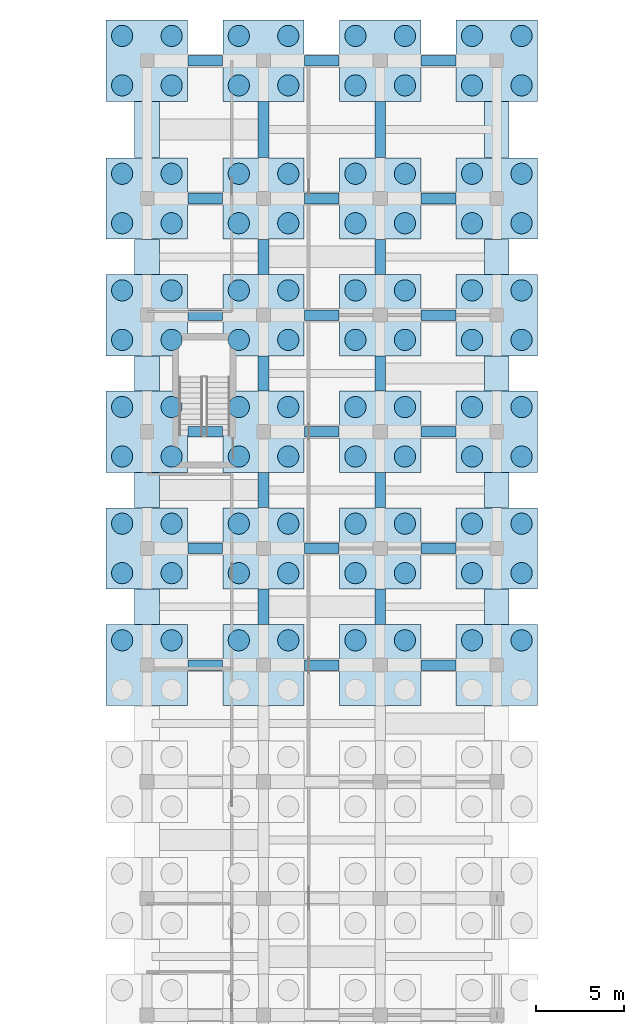
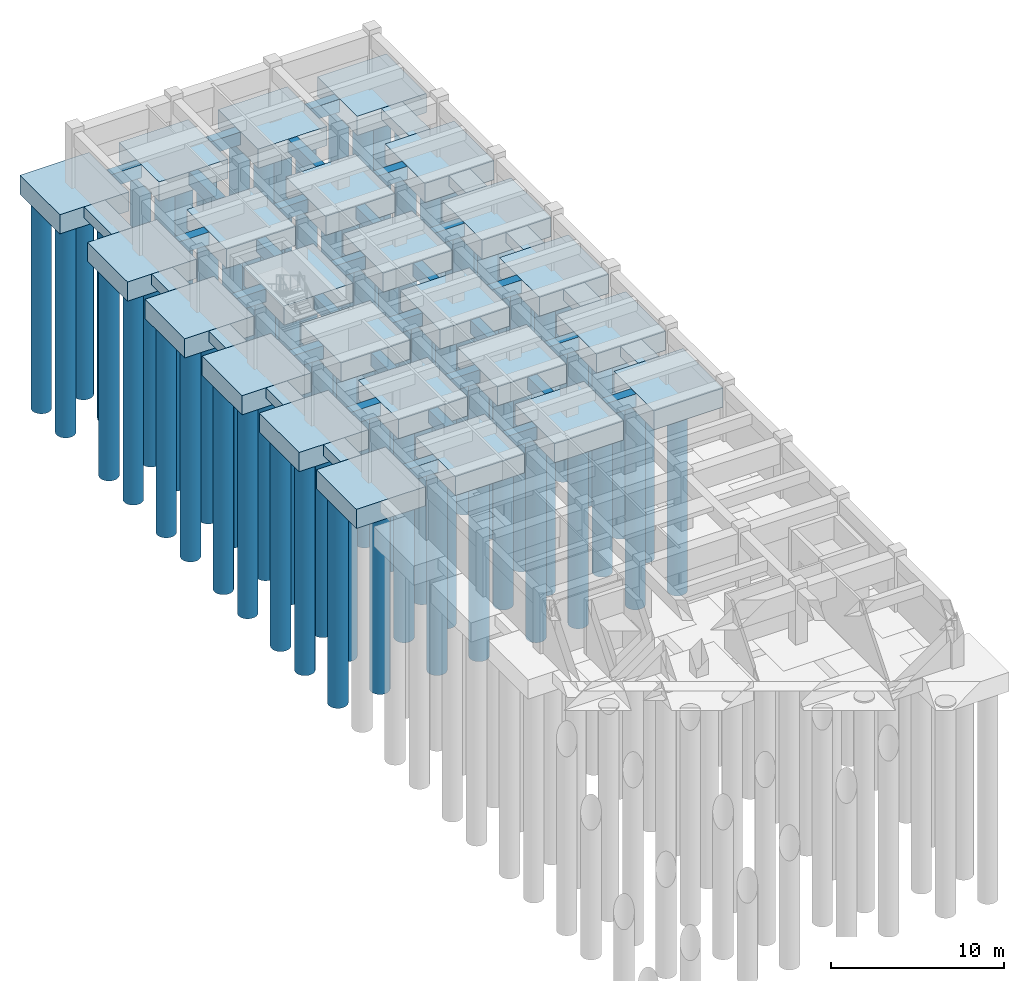
# One storey, part 7 of 58: 88 piles, 62 footings.
"""IFC4 building model written with IfcOpenShell, lengths in metres."""

from ifc_helpers import new_model, si_unit, direction, frame, origin, origin_2d, place, context, subcontext, project, spatial, rectangle, circle, extrude, material, material_profile, profile_set, type_object, element, save


model = new_model("IFC4")

# Units and contexts
model_context = context("Model", 3, precision=1e-05, world=origin(), true_north=direction((0.0, 1.0)))
body_context = subcontext(model_context, "Body", "Model", "MODEL_VIEW")
ifc_project = project(units=[si_unit("LENGTHUNIT", "METRE"), si_unit("AREAUNIT", "SQUARE_METRE"), si_unit("VOLUMEUNIT", "CUBIC_METRE"), si_unit("PLANEANGLEUNIT", "RADIAN"), si_unit("MASSUNIT", "GRAM", prefix="KILO")], contexts=[model_context])

# Site, building, storey
site_placement = place(None, origin())
site = spatial("IfcSite", under=ifc_project, at=site_placement, CompositionType="ELEMENT")
building_placement = place(site_placement, origin())
building = spatial("IfcBuilding", under=site, at=building_placement, Name="Karori Crest Natural Sciences Institute", CompositionType="ELEMENT")
storey_placement = place(building_placement, frame((0.0, 0.0, -4.199951171875)))
storey = spatial("IfcBuildingStorey", under=building, at=storey_placement, Name="B1", CompositionType="ELEMENT", Elevation=-4.199951171875)

# Footings
ifc_material = material(Name="Concrete 40 MPa", Category="concrete")
footing_type_1 = type_object("IfcFootingType", Name="FT-11", PredefinedType="PILE_CAP", material=ifc_material)
for number, where, z_axis, x_axis, name in (
    (1, (7.39990234375, 128.0, -1.35009765625), (0.0, 0.0, 1.0), (1.0, 0.0, 0.0), "Pile cap PC-0117"),
    (2, (7.39990234375, 134.60009765625, -1.35009765625), (0.0, 0.0, 1.0), (1.0, 0.0, 0.0), "Pile cap PC-0118"),
    (3, (7.39990234375, 141.199951171875, -1.35009765625), (0.0, 0.0, 1.0), (1.0, 0.0, 0.0), "Pile cap PC-0119"),
    (4, (7.39990234375, 147.800048828125, -1.35009765625), (0.0, 0.0, 1.0), (1.0, 0.0, 0.0), "Pile cap PC-0120"),
    (5, (7.39990234375, 154.39990234375, -1.35009765625), (0.0, 0.0, 1.0), (1.0, 0.0, 0.0), "Pile cap PC-0121"),
    (6, (7.39990234375, 162.199951171875, -1.35009765625), (0.0, 0.0, 1.0), (1.0, 0.0, 0.0), "Pile cap PC-0122"),
    (7, (14.0, 128.0, -1.35009765625), (0.0, 0.0, 1.0), (1.0, 0.0, 0.0), "Pile cap PC-0128"),
    (8, (14.0, 134.60009765625, -1.35009765625), (0.0, 0.0, 1.0), (1.0, 0.0, 0.0), "Pile cap PC-0129"),
    (9, (14.0, 141.199951171875, -1.35009765625), (0.0, 0.0, 1.0), (1.0, 0.0, 0.0), "Pile cap PC-0130"),
    (10, (14.0, 147.800048828125, -1.35009765625), (0.0, 0.0, 1.0), (1.0, 0.0, 0.0), "Pile cap PC-0131"),
    (11, (14.0, 154.39990234375, -1.35009765625), (0.0, 0.0, 1.0), (1.0, 0.0, 0.0), "Pile cap PC-0132"),
    (12, (14.0, 162.199951171875, -1.35009765625), (0.0, 0.0, 1.0), (1.0, 0.0, 0.0), "Pile cap PC-0133"),
    (13, (20.60009765625, 128.0, -1.35009765625), (0.0, 0.0, 1.0), (1.0, 0.0, 0.0), "Pile cap PC-0139"),
    (14, (20.60009765625, 134.60009765625, -1.35009765625), (0.0, 0.0, 1.0), (1.0, 0.0, 0.0), "Pile cap PC-0140"),
    (15, (20.60009765625, 141.199951171875, -1.35009765625), (0.0, 0.0, 1.0), (1.0, 0.0, 0.0), "Pile cap PC-0141"),
    (16, (20.60009765625, 147.800048828125, -1.35009765625), (0.0, 0.0, 1.0), (1.0, 0.0, 0.0), "Pile cap PC-0142"),
    (17, (20.60009765625, 154.39990234375, -1.35009765625), (0.0, 0.0, 1.0), (1.0, 0.0, 0.0), "Pile cap PC-0143"),
    (18, (20.60009765625, 162.199951171875, -1.35009765625), (0.0, 0.0, 1.0), (1.0, 0.0, 0.0), "Pile cap PC-0144"),
    (19, (27.199951171875, 128.0, -1.35009765625), (0.0, 0.0, 1.0), (1.0, 0.0, 0.0), "Pile cap PC-0150"),
    (20, (27.199951171875, 134.60009765625, -1.35009765625), (0.0, 0.0, 1.0), (1.0, 0.0, 0.0), "Pile cap PC-0151"),
    (21, (27.199951171875, 141.199951171875, -1.35009765625), (0.0, 0.0, 1.0), (1.0, 0.0, 0.0), "Pile cap PC-0152"),
    (22, (27.199951171875, 147.800048828125, -1.35009765625), (0.0, 0.0, 1.0), (1.0, 0.0, 0.0), "Pile cap PC-0153"),
    (23, (27.199951171875, 154.39990234375, -1.35009765625), (0.0, 0.0, 1.0), (1.0, 0.0, 0.0), "Pile cap PC-0154"),
    (24, (27.199951171875, 162.199951171875, -1.35009765625), (0.0, 0.0, 1.0), (1.0, 0.0, 0.0), "Pile cap PC-0155"),
):
    element("IfcFooting", number, at=place(storey_placement, frame(where, z_axis=z_axis, x_axis=x_axis)), inside=storey, type_object=footing_type_1, Name=name, PredefinedType="PILE_CAP", context=body_context, shape_type="SweptSolid", body=[
        extrude(rectangle(XDim=4.60009765625, YDim=4.60009765625, at=origin_2d()), origin(), (0.0, 0.0, 1.0), 1.35009765625),
    ])
footing_type_2 = type_object("IfcFootingType", Name="FT-16", PredefinedType="FOOTING_BEAM", material=ifc_material)
for number, where, z_axis, x_axis, name in (
    (25, (10.699951171875, 128.0, -0.89990234375), (0.0, 0.0, 1.0), (1.0, 0.0, 0.0), "Ground beam FB-0132"),
    (26, (10.699951171875, 134.60009765625, -0.89990234375), (0.0, 0.0, 1.0), (1.0, 0.0, 0.0), "Ground beam FB-0133"),
    (27, (10.699951171875, 141.199951171875, -0.89990234375), (0.0, 0.0, 1.0), (1.0, 0.0, 0.0), "Ground beam FB-0134"),
    (28, (10.699951171875, 147.800048828125, -0.89990234375), (0.0, 0.0, 1.0), (1.0, 0.0, 0.0), "Ground beam FB-0135"),
    (29, (10.699951171875, 154.39990234375, -0.89990234375), (0.0, 0.0, 1.0), (1.0, 0.0, 0.0), "Ground beam FB-0136"),
    (30, (10.699951171875, 162.199951171875, -0.89990234375), (0.0, 0.0, 1.0), (1.0, 0.0, 0.0), "Ground beam FB-0137"),
    (31, (17.300048828125, 128.0, -0.89990234375), (0.0, 0.0, 1.0), (1.0, 0.0, 0.0), "Ground beam FB-0148"),
):
    element("IfcFooting", number, at=place(storey_placement, frame(where, z_axis=z_axis, x_axis=x_axis)), inside=storey, type_object=footing_type_2, Name=name, PredefinedType="FOOTING_BEAM", context=body_context, shape_type="SweptSolid", body=[
        extrude(rectangle(XDim=1.964111328125, YDim=0.60009765625, at=origin_2d()), origin(), (0.0, 0.0, 1.0), 0.89990234375),
    ])
footing_1_placement = place(storey_placement, frame((14.0, 131.300048828125, -0.89990234375), z_axis=(0.0, 0.0, 1.0), x_axis=(0.0, 1.0, 0.0)))
element("IfcFooting", 32, at=footing_1_placement, inside=storey, type_object=footing_type_2, Name="Ground beam FB-0149", PredefinedType="FOOTING_BEAM", context=body_context, shape_type="SweptSolid", body=[
    extrude(rectangle(XDim=1.98388671875, YDim=0.60009765625, at=origin_2d()), origin(), (0.0, 0.0, 1.0), 0.89990234375),
])
footing_2_placement = place(storey_placement, frame((17.300048828125, 134.60009765625, -0.89990234375), z_axis=(0.0, 0.0, 1.0), x_axis=(1.0, 0.0, 0.0)))
element("IfcFooting", 33, at=footing_2_placement, inside=storey, type_object=footing_type_2, Name="Ground beam FB-0150", PredefinedType="FOOTING_BEAM", context=body_context, shape_type="SweptSolid", body=[
    extrude(rectangle(XDim=1.964111328125, YDim=0.60009765625, at=origin_2d()), origin(), (0.0, 0.0, 1.0), 0.89990234375),
])
footing_3_placement = place(storey_placement, frame((14.0, 137.89990234375, -0.89990234375), z_axis=(0.0, 0.0, 1.0), x_axis=(0.0, 1.0, 0.0)))
element("IfcFooting", 34, at=footing_3_placement, inside=storey, type_object=footing_type_2, Name="Ground beam FB-0151", PredefinedType="FOOTING_BEAM", context=body_context, shape_type="SweptSolid", body=[
    extrude(rectangle(XDim=1.98388671875, YDim=0.60009765625, at=origin_2d()), origin(), (0.0, 0.0, 1.0), 0.89990234375),
])
footing_4_placement = place(storey_placement, frame((17.300048828125, 141.199951171875, -0.89990234375), z_axis=(0.0, 0.0, 1.0), x_axis=(1.0, 0.0, 0.0)))
element("IfcFooting", 35, at=footing_4_placement, inside=storey, type_object=footing_type_2, Name="Ground beam FB-0152", PredefinedType="FOOTING_BEAM", context=body_context, shape_type="SweptSolid", body=[
    extrude(rectangle(XDim=1.964111328125, YDim=0.60009765625, at=origin_2d()), origin(), (0.0, 0.0, 1.0), 0.89990234375),
])
footing_5_placement = place(storey_placement, frame((14.0, 144.5, -0.89990234375), z_axis=(0.0, 0.0, 1.0), x_axis=(0.0, 1.0, 0.0)))
element("IfcFooting", 36, at=footing_5_placement, inside=storey, type_object=footing_type_2, Name="Ground beam FB-0153", PredefinedType="FOOTING_BEAM", context=body_context, shape_type="SweptSolid", body=[
    extrude(rectangle(XDim=1.98388671875, YDim=0.60009765625, at=origin_2d()), origin(), (0.0, 0.0, 1.0), 0.89990234375),
])
footing_6_placement = place(storey_placement, frame((17.300048828125, 147.800048828125, -0.89990234375), z_axis=(0.0, 0.0, 1.0), x_axis=(1.0, 0.0, 0.0)))
element("IfcFooting", 37, at=footing_6_placement, inside=storey, type_object=footing_type_2, Name="Ground beam FB-0154", PredefinedType="FOOTING_BEAM", context=body_context, shape_type="SweptSolid", body=[
    extrude(rectangle(XDim=1.964111328125, YDim=0.60009765625, at=origin_2d()), origin(), (0.0, 0.0, 1.0), 0.89990234375),
])
footing_7_placement = place(storey_placement, frame((14.0, 151.10009765625, -0.89990234375), z_axis=(0.0, 0.0, 1.0), x_axis=(0.0, 1.0, 0.0)))
element("IfcFooting", 38, at=footing_7_placement, inside=storey, type_object=footing_type_2, Name="Ground beam FB-0155", PredefinedType="FOOTING_BEAM", context=body_context, shape_type="SweptSolid", body=[
    extrude(rectangle(XDim=1.98388671875, YDim=0.60009765625, at=origin_2d()), origin(), (0.0, 0.0, 1.0), 0.89990234375),
])
footing_8_placement = place(storey_placement, frame((17.300048828125, 154.39990234375, -0.89990234375), z_axis=(0.0, 0.0, 1.0), x_axis=(1.0, 0.0, 0.0)))
element("IfcFooting", 39, at=footing_8_placement, inside=storey, type_object=footing_type_2, Name="Ground beam FB-0156", PredefinedType="FOOTING_BEAM", context=body_context, shape_type="SweptSolid", body=[
    extrude(rectangle(XDim=1.964111328125, YDim=0.60009765625, at=origin_2d()), origin(), (0.0, 0.0, 1.0), 0.89990234375),
])
footing_9_placement = place(storey_placement, frame((14.0, 158.300048828125, -0.89990234375), z_axis=(0.0, 0.0, 1.0), x_axis=(0.0, 1.0, 0.0)))
element("IfcFooting", 40, at=footing_9_placement, inside=storey, type_object=footing_type_2, Name="Ground beam FB-0157", PredefinedType="FOOTING_BEAM", context=body_context, shape_type="SweptSolid", body=[
    extrude(rectangle(XDim=3.18408203125, YDim=0.60009765625, at=origin_2d()), origin(), (0.0, 0.0, 1.0), 0.89990234375),
])
for number, where, z_axis, x_axis, name in (
    (41, (17.300048828125, 162.199951171875, -0.89990234375), (0.0, 0.0, 1.0), (1.0, 0.0, 0.0), "Ground beam FB-0158"),
    (42, (23.89990234375, 128.0, -0.89990234375), (0.0, 0.0, 1.0), (1.0, 0.0, 0.0), "Ground beam FB-0169"),
):
    element("IfcFooting", number, at=place(storey_placement, frame(where, z_axis=z_axis, x_axis=x_axis)), inside=storey, type_object=footing_type_2, Name=name, PredefinedType="FOOTING_BEAM", context=body_context, shape_type="SweptSolid", body=[
        extrude(rectangle(XDim=1.964111328125, YDim=0.60009765625, at=origin_2d()), origin(), (0.0, 0.0, 1.0), 0.89990234375),
    ])
footing_10_placement = place(storey_placement, frame((20.60009765625, 131.300048828125, -0.89990234375), z_axis=(0.0, 0.0, 1.0), x_axis=(0.0, 1.0, 0.0)))
element("IfcFooting", 43, at=footing_10_placement, inside=storey, type_object=footing_type_2, Name="Ground beam FB-0170", PredefinedType="FOOTING_BEAM", context=body_context, shape_type="SweptSolid", body=[
    extrude(rectangle(XDim=1.98388671875, YDim=0.60009765625, at=origin_2d()), origin(), (0.0, 0.0, 1.0), 0.89990234375),
])
footing_11_placement = place(storey_placement, frame((23.89990234375, 134.60009765625, -0.89990234375), z_axis=(0.0, 0.0, 1.0), x_axis=(1.0, 0.0, 0.0)))
element("IfcFooting", 44, at=footing_11_placement, inside=storey, type_object=footing_type_2, Name="Ground beam FB-0171", PredefinedType="FOOTING_BEAM", context=body_context, shape_type="SweptSolid", body=[
    extrude(rectangle(XDim=1.964111328125, YDim=0.60009765625, at=origin_2d()), origin(), (0.0, 0.0, 1.0), 0.89990234375),
])
footing_12_placement = place(storey_placement, frame((20.60009765625, 137.89990234375, -0.89990234375), z_axis=(0.0, 0.0, 1.0), x_axis=(0.0, 1.0, 0.0)))
element("IfcFooting", 45, at=footing_12_placement, inside=storey, type_object=footing_type_2, Name="Ground beam FB-0172", PredefinedType="FOOTING_BEAM", context=body_context, shape_type="SweptSolid", body=[
    extrude(rectangle(XDim=1.98388671875, YDim=0.60009765625, at=origin_2d()), origin(), (0.0, 0.0, 1.0), 0.89990234375),
])
footing_13_placement = place(storey_placement, frame((23.89990234375, 141.199951171875, -0.89990234375), z_axis=(0.0, 0.0, 1.0), x_axis=(1.0, 0.0, 0.0)))
element("IfcFooting", 46, at=footing_13_placement, inside=storey, type_object=footing_type_2, Name="Ground beam FB-0173", PredefinedType="FOOTING_BEAM", context=body_context, shape_type="SweptSolid", body=[
    extrude(rectangle(XDim=1.964111328125, YDim=0.60009765625, at=origin_2d()), origin(), (0.0, 0.0, 1.0), 0.89990234375),
])
footing_14_placement = place(storey_placement, frame((20.60009765625, 144.5, -0.89990234375), z_axis=(0.0, 0.0, 1.0), x_axis=(0.0, 1.0, 0.0)))
element("IfcFooting", 47, at=footing_14_placement, inside=storey, type_object=footing_type_2, Name="Ground beam FB-0174", PredefinedType="FOOTING_BEAM", context=body_context, shape_type="SweptSolid", body=[
    extrude(rectangle(XDim=1.98388671875, YDim=0.60009765625, at=origin_2d()), origin(), (0.0, 0.0, 1.0), 0.89990234375),
])
footing_15_placement = place(storey_placement, frame((23.89990234375, 147.800048828125, -0.89990234375), z_axis=(0.0, 0.0, 1.0), x_axis=(1.0, 0.0, 0.0)))
element("IfcFooting", 48, at=footing_15_placement, inside=storey, type_object=footing_type_2, Name="Ground beam FB-0175", PredefinedType="FOOTING_BEAM", context=body_context, shape_type="SweptSolid", body=[
    extrude(rectangle(XDim=1.964111328125, YDim=0.60009765625, at=origin_2d()), origin(), (0.0, 0.0, 1.0), 0.89990234375),
])
footing_16_placement = place(storey_placement, frame((20.60009765625, 151.10009765625, -0.89990234375), z_axis=(0.0, 0.0, 1.0), x_axis=(0.0, 1.0, 0.0)))
element("IfcFooting", 49, at=footing_16_placement, inside=storey, type_object=footing_type_2, Name="Ground beam FB-0176", PredefinedType="FOOTING_BEAM", context=body_context, shape_type="SweptSolid", body=[
    extrude(rectangle(XDim=1.98388671875, YDim=0.60009765625, at=origin_2d()), origin(), (0.0, 0.0, 1.0), 0.89990234375),
])
footing_17_placement = place(storey_placement, frame((23.89990234375, 154.39990234375, -0.89990234375), z_axis=(0.0, 0.0, 1.0), x_axis=(1.0, 0.0, 0.0)))
element("IfcFooting", 50, at=footing_17_placement, inside=storey, type_object=footing_type_2, Name="Ground beam FB-0177", PredefinedType="FOOTING_BEAM", context=body_context, shape_type="SweptSolid", body=[
    extrude(rectangle(XDim=1.964111328125, YDim=0.60009765625, at=origin_2d()), origin(), (0.0, 0.0, 1.0), 0.89990234375),
])
footing_18_placement = place(storey_placement, frame((20.60009765625, 158.300048828125, -0.89990234375), z_axis=(0.0, 0.0, 1.0), x_axis=(0.0, 1.0, 0.0)))
element("IfcFooting", 51, at=footing_18_placement, inside=storey, type_object=footing_type_2, Name="Ground beam FB-0178", PredefinedType="FOOTING_BEAM", context=body_context, shape_type="SweptSolid", body=[
    extrude(rectangle(XDim=3.18408203125, YDim=0.60009765625, at=origin_2d()), origin(), (0.0, 0.0, 1.0), 0.89990234375),
])
footing_19_placement = place(storey_placement, frame((23.89990234375, 162.199951171875, -0.89990234375), z_axis=(0.0, 0.0, 1.0), x_axis=(1.0, 0.0, 0.0)))
element("IfcFooting", 52, at=footing_19_placement, inside=storey, type_object=footing_type_2, Name="Ground beam FB-0179", PredefinedType="FOOTING_BEAM", context=body_context, shape_type="SweptSolid", body=[
    extrude(rectangle(XDim=1.964111328125, YDim=0.60009765625, at=origin_2d()), origin(), (0.0, 0.0, 1.0), 0.89990234375),
])
footing_type_3 = type_object("IfcFootingType", Name="FT-20", PredefinedType="STRIP_FOOTING", material=ifc_material)
for number, where, z_axis, x_axis, name in (
    (53, (7.39990234375, 131.300048828125, -0.75), (0.0, 0.0, 1.0), (0.0, 1.0, 0.0), "Strip footing SF-0026"),
    (54, (7.39990234375, 137.89990234375, -0.75), (0.0, 0.0, 1.0), (0.0, 1.0, 0.0), "Strip footing SF-0027"),
    (55, (7.39990234375, 144.5, -0.75), (0.0, 0.0, 1.0), (0.0, 1.0, 0.0), "Strip footing SF-0028"),
    (56, (7.39990234375, 151.10009765625, -0.75), (0.0, 0.0, 1.0), (0.0, 1.0, 0.0), "Strip footing SF-0029"),
):
    element("IfcFooting", number, at=place(storey_placement, frame(where, z_axis=z_axis, x_axis=x_axis)), inside=storey, type_object=footing_type_3, Name=name, PredefinedType="STRIP_FOOTING", context=body_context, shape_type="SweptSolid", body=[
        extrude(rectangle(XDim=1.98388671875, YDim=1.39990234375, at=origin_2d()), origin(), (0.0, 0.0, 1.0), 0.75),
    ])
footing_20_placement = place(storey_placement, frame((7.39990234375, 158.300048828125, -0.75), z_axis=(0.0, 0.0, 1.0), x_axis=(0.0, 1.0, 0.0)))
element("IfcFooting", 57, at=footing_20_placement, inside=storey, type_object=footing_type_3, Name="Strip footing SF-0030", PredefinedType="STRIP_FOOTING", context=body_context, shape_type="SweptSolid", body=[
    extrude(rectangle(XDim=3.18408203125, YDim=1.39990234375, at=origin_2d()), origin(), (0.0, 0.0, 1.0), 0.75),
])
for number, where, z_axis, x_axis, name in (
    (58, (27.199951171875, 131.300048828125, -0.75), (0.0, 0.0, 1.0), (0.0, 1.0, 0.0), "Strip footing SF-0036"),
    (59, (27.199951171875, 137.89990234375, -0.75), (0.0, 0.0, 1.0), (0.0, 1.0, 0.0), "Strip footing SF-0037"),
    (60, (27.199951171875, 144.5, -0.75), (0.0, 0.0, 1.0), (0.0, 1.0, 0.0), "Strip footing SF-0038"),
    (61, (27.199951171875, 151.10009765625, -0.75), (0.0, 0.0, 1.0), (0.0, 1.0, 0.0), "Strip footing SF-0039"),
):
    element("IfcFooting", number, at=place(storey_placement, frame(where, z_axis=z_axis, x_axis=x_axis)), inside=storey, type_object=footing_type_3, Name=name, PredefinedType="STRIP_FOOTING", context=body_context, shape_type="SweptSolid", body=[
        extrude(rectangle(XDim=1.98388671875, YDim=1.39990234375, at=origin_2d()), origin(), (0.0, 0.0, 1.0), 0.75),
    ])
footing_21_placement = place(storey_placement, frame((27.199951171875, 158.300048828125, -0.75), z_axis=(0.0, 0.0, 1.0), x_axis=(0.0, 1.0, 0.0)))
element("IfcFooting", 62, at=footing_21_placement, inside=storey, type_object=footing_type_3, Name="Strip footing SF-0040", PredefinedType="STRIP_FOOTING", context=body_context, shape_type="SweptSolid", body=[
    extrude(rectangle(XDim=3.18408203125, YDim=1.39990234375, at=origin_2d()), origin(), (0.0, 0.0, 1.0), 0.75),
])

# Piles
ifc_material_profile = material_profile(ifc_material, circle(Radius=0.60009765625, at=origin_2d()), Name="PILE1200")
ifc_profile_set = profile_set([ifc_material_profile], Name="Concrete 40 MPa")
pile_type = type_object("IfcPileType", Name="PT-05", PredefinedType="BORED", material=ifc_profile_set)
for number, where, z_axis, x_axis, name in (
    (63, (6.0, 129.39990234375, -1.25), (0.0, 0.0, -1.0), (1.0, 0.0, 0.0), "Bored pile PL-0307"),
    (64, (8.800048828125, 129.39990234375, -1.25), (0.0, 0.0, -1.0), (1.0, 0.0, 0.0), "Bored pile PL-0308"),
    (65, (6.0, 133.199951171875, -1.25), (0.0, 0.0, -1.0), (1.0, 0.0, 0.0), "Bored pile PL-0309"),
    (66, (8.800048828125, 133.199951171875, -1.25), (0.0, 0.0, -1.0), (1.0, 0.0, 0.0), "Bored pile PL-0310"),
    (67, (6.0, 136.0, -1.25), (0.0, 0.0, -1.0), (1.0, 0.0, 0.0), "Bored pile PL-0311"),
    (68, (8.800048828125, 136.0, -1.25), (0.0, 0.0, -1.0), (1.0, 0.0, 0.0), "Bored pile PL-0312"),
    (69, (6.0, 139.800048828125, -1.25), (0.0, 0.0, -1.0), (1.0, 0.0, 0.0), "Bored pile PL-0313"),
    (70, (8.800048828125, 139.800048828125, -1.25), (0.0, 0.0, -1.0), (1.0, 0.0, 0.0), "Bored pile PL-0314"),
    (71, (6.0, 142.60009765625, -1.25), (0.0, 0.0, -1.0), (1.0, 0.0, 0.0), "Bored pile PL-0315"),
    (72, (8.800048828125, 142.60009765625, -1.25), (0.0, 0.0, -1.0), (1.0, 0.0, 0.0), "Bored pile PL-0316"),
    (73, (6.0, 146.39990234375, -1.25), (0.0, 0.0, -1.0), (1.0, 0.0, 0.0), "Bored pile PL-0317"),
    (74, (8.800048828125, 146.39990234375, -1.25), (0.0, 0.0, -1.0), (1.0, 0.0, 0.0), "Bored pile PL-0318"),
    (75, (6.0, 149.199951171875, -1.25), (0.0, 0.0, -1.0), (1.0, 0.0, 0.0), "Bored pile PL-0319"),
    (76, (8.800048828125, 149.199951171875, -1.25), (0.0, 0.0, -1.0), (1.0, 0.0, 0.0), "Bored pile PL-0320"),
    (77, (6.0, 153.0, -1.25), (0.0, 0.0, -1.0), (1.0, 0.0, 0.0), "Bored pile PL-0321"),
    (78, (8.800048828125, 153.0, -1.25), (0.0, 0.0, -1.0), (1.0, 0.0, 0.0), "Bored pile PL-0322"),
    (79, (6.0, 155.800048828125, -1.25), (0.0, 0.0, -1.0), (1.0, 0.0, 0.0), "Bored pile PL-0323"),
    (80, (8.800048828125, 155.800048828125, -1.25), (0.0, 0.0, -1.0), (1.0, 0.0, 0.0), "Bored pile PL-0324"),
    (81, (6.0, 160.800048828125, -1.25), (0.0, 0.0, -1.0), (1.0, 0.0, 0.0), "Bored pile PL-0325"),
    (82, (8.800048828125, 160.800048828125, -1.25), (0.0, 0.0, -1.0), (1.0, 0.0, 0.0), "Bored pile PL-0326"),
    (83, (6.0, 163.60009765625, -1.25), (0.0, 0.0, -1.0), (1.0, 0.0, 0.0), "Bored pile PL-0327"),
    (84, (8.800048828125, 163.60009765625, -1.25), (0.0, 0.0, -1.0), (1.0, 0.0, 0.0), "Bored pile PL-0328"),
    (85, (12.60009765625, 129.39990234375, -1.25), (0.0, 0.0, -1.0), (1.0, 0.0, 0.0), "Bored pile PL-0351"),
    (86, (15.39990234375, 129.39990234375, -1.25), (0.0, 0.0, -1.0), (1.0, 0.0, 0.0), "Bored pile PL-0352"),
    (87, (12.60009765625, 133.199951171875, -1.25), (0.0, 0.0, -1.0), (1.0, 0.0, 0.0), "Bored pile PL-0353"),
    (88, (15.39990234375, 133.199951171875, -1.25), (0.0, 0.0, -1.0), (1.0, 0.0, 0.0), "Bored pile PL-0354"),
    (89, (12.60009765625, 136.0, -1.25), (0.0, 0.0, -1.0), (1.0, 0.0, 0.0), "Bored pile PL-0355"),
    (90, (15.39990234375, 136.0, -1.25), (0.0, 0.0, -1.0), (1.0, 0.0, 0.0), "Bored pile PL-0356"),
    (91, (12.60009765625, 139.800048828125, -1.25), (0.0, 0.0, -1.0), (1.0, 0.0, 0.0), "Bored pile PL-0357"),
    (92, (15.39990234375, 139.800048828125, -1.25), (0.0, 0.0, -1.0), (1.0, 0.0, 0.0), "Bored pile PL-0358"),
    (93, (12.60009765625, 142.60009765625, -1.25), (0.0, 0.0, -1.0), (1.0, 0.0, 0.0), "Bored pile PL-0359"),
    (94, (15.39990234375, 142.60009765625, -1.25), (0.0, 0.0, -1.0), (1.0, 0.0, 0.0), "Bored pile PL-0360"),
    (95, (12.60009765625, 146.39990234375, -1.25), (0.0, 0.0, -1.0), (1.0, 0.0, 0.0), "Bored pile PL-0361"),
    (96, (15.39990234375, 146.39990234375, -1.25), (0.0, 0.0, -1.0), (1.0, 0.0, 0.0), "Bored pile PL-0362"),
    (97, (12.60009765625, 149.199951171875, -1.25), (0.0, 0.0, -1.0), (1.0, 0.0, 0.0), "Bored pile PL-0363"),
    (98, (15.39990234375, 149.199951171875, -1.25), (0.0, 0.0, -1.0), (1.0, 0.0, 0.0), "Bored pile PL-0364"),
    (99, (12.60009765625, 153.0, -1.25), (0.0, 0.0, -1.0), (1.0, 0.0, 0.0), "Bored pile PL-0365"),
    (100, (15.39990234375, 153.0, -1.25), (0.0, 0.0, -1.0), (1.0, 0.0, 0.0), "Bored pile PL-0366"),
    (101, (12.60009765625, 155.800048828125, -1.25), (0.0, 0.0, -1.0), (1.0, 0.0, 0.0), "Bored pile PL-0367"),
    (102, (15.39990234375, 155.800048828125, -1.25), (0.0, 0.0, -1.0), (1.0, 0.0, 0.0), "Bored pile PL-0368"),
    (103, (12.60009765625, 160.800048828125, -1.25), (0.0, 0.0, -1.0), (1.0, 0.0, 0.0), "Bored pile PL-0369"),
    (104, (15.39990234375, 160.800048828125, -1.25), (0.0, 0.0, -1.0), (1.0, 0.0, 0.0), "Bored pile PL-0370"),
    (105, (12.60009765625, 163.60009765625, -1.25), (0.0, 0.0, -1.0), (1.0, 0.0, 0.0), "Bored pile PL-0371"),
    (106, (15.39990234375, 163.60009765625, -1.25), (0.0, 0.0, -1.0), (1.0, 0.0, 0.0), "Bored pile PL-0372"),
    (107, (19.199951171875, 129.39990234375, -1.25), (0.0, 0.0, -1.0), (1.0, 0.0, 0.0), "Bored pile PL-0395"),
    (108, (22.0, 129.39990234375, -1.25), (0.0, 0.0, -1.0), (1.0, 0.0, 0.0), "Bored pile PL-0396"),
    (109, (19.199951171875, 133.199951171875, -1.25), (0.0, 0.0, -1.0), (1.0, 0.0, 0.0), "Bored pile PL-0397"),
    (110, (22.0, 133.199951171875, -1.25), (0.0, 0.0, -1.0), (1.0, 0.0, 0.0), "Bored pile PL-0398"),
    (111, (19.199951171875, 136.0, -1.25), (0.0, 0.0, -1.0), (1.0, 0.0, 0.0), "Bored pile PL-0399"),
    (112, (22.0, 136.0, -1.25), (0.0, 0.0, -1.0), (1.0, 0.0, 0.0), "Bored pile PL-0400"),
    (113, (19.199951171875, 139.800048828125, -1.25), (0.0, 0.0, -1.0), (1.0, 0.0, 0.0), "Bored pile PL-0401"),
    (114, (22.0, 139.800048828125, -1.25), (0.0, 0.0, -1.0), (1.0, 0.0, 0.0), "Bored pile PL-0402"),
    (115, (19.199951171875, 142.60009765625, -1.25), (0.0, 0.0, -1.0), (1.0, 0.0, 0.0), "Bored pile PL-0403"),
    (116, (22.0, 142.60009765625, -1.25), (0.0, 0.0, -1.0), (1.0, 0.0, 0.0), "Bored pile PL-0404"),
    (117, (19.199951171875, 146.39990234375, -1.25), (0.0, 0.0, -1.0), (1.0, 0.0, 0.0), "Bored pile PL-0405"),
    (118, (22.0, 146.39990234375, -1.25), (0.0, 0.0, -1.0), (1.0, 0.0, 0.0), "Bored pile PL-0406"),
    (119, (19.199951171875, 149.199951171875, -1.25), (0.0, 0.0, -1.0), (1.0, 0.0, 0.0), "Bored pile PL-0407"),
    (120, (22.0, 149.199951171875, -1.25), (0.0, 0.0, -1.0), (1.0, 0.0, 0.0), "Bored pile PL-0408"),
    (121, (19.199951171875, 153.0, -1.25), (0.0, 0.0, -1.0), (1.0, 0.0, 0.0), "Bored pile PL-0409"),
    (122, (22.0, 153.0, -1.25), (0.0, 0.0, -1.0), (1.0, 0.0, 0.0), "Bored pile PL-0410"),
    (123, (19.199951171875, 155.800048828125, -1.25), (0.0, 0.0, -1.0), (1.0, 0.0, 0.0), "Bored pile PL-0411"),
    (124, (22.0, 155.800048828125, -1.25), (0.0, 0.0, -1.0), (1.0, 0.0, 0.0), "Bored pile PL-0412"),
    (125, (19.199951171875, 160.800048828125, -1.25), (0.0, 0.0, -1.0), (1.0, 0.0, 0.0), "Bored pile PL-0413"),
    (126, (22.0, 160.800048828125, -1.25), (0.0, 0.0, -1.0), (1.0, 0.0, 0.0), "Bored pile PL-0414"),
    (127, (19.199951171875, 163.60009765625, -1.25), (0.0, 0.0, -1.0), (1.0, 0.0, 0.0), "Bored pile PL-0415"),
    (128, (22.0, 163.60009765625, -1.25), (0.0, 0.0, -1.0), (1.0, 0.0, 0.0), "Bored pile PL-0416"),
    (129, (25.800048828125, 129.39990234375, -1.25), (0.0, 0.0, -1.0), (1.0, 0.0, 0.0), "Bored pile PL-0439"),
    (130, (28.60009765625, 129.39990234375, -1.25), (0.0, 0.0, -1.0), (1.0, 0.0, 0.0), "Bored pile PL-0440"),
    (131, (25.800048828125, 133.199951171875, -1.25), (0.0, 0.0, -1.0), (1.0, 0.0, 0.0), "Bored pile PL-0441"),
    (132, (28.60009765625, 133.199951171875, -1.25), (0.0, 0.0, -1.0), (1.0, 0.0, 0.0), "Bored pile PL-0442"),
    (133, (25.800048828125, 136.0, -1.25), (0.0, 0.0, -1.0), (1.0, 0.0, 0.0), "Bored pile PL-0443"),
    (134, (28.60009765625, 136.0, -1.25), (0.0, 0.0, -1.0), (1.0, 0.0, 0.0), "Bored pile PL-0444"),
    (135, (25.800048828125, 139.800048828125, -1.25), (0.0, 0.0, -1.0), (1.0, 0.0, 0.0), "Bored pile PL-0445"),
    (136, (28.60009765625, 139.800048828125, -1.25), (0.0, 0.0, -1.0), (1.0, 0.0, 0.0), "Bored pile PL-0446"),
    (137, (25.800048828125, 142.60009765625, -1.25), (0.0, 0.0, -1.0), (1.0, 0.0, 0.0), "Bored pile PL-0447"),
    (138, (28.60009765625, 142.60009765625, -1.25), (0.0, 0.0, -1.0), (1.0, 0.0, 0.0), "Bored pile PL-0448"),
    (139, (25.800048828125, 146.39990234375, -1.25), (0.0, 0.0, -1.0), (1.0, 0.0, 0.0), "Bored pile PL-0449"),
    (140, (28.60009765625, 146.39990234375, -1.25), (0.0, 0.0, -1.0), (1.0, 0.0, 0.0), "Bored pile PL-0450"),
    (141, (25.800048828125, 149.199951171875, -1.25), (0.0, 0.0, -1.0), (1.0, 0.0, 0.0), "Bored pile PL-0451"),
    (142, (28.60009765625, 149.199951171875, -1.25), (0.0, 0.0, -1.0), (1.0, 0.0, 0.0), "Bored pile PL-0452"),
    (143, (25.800048828125, 153.0, -1.25), (0.0, 0.0, -1.0), (1.0, 0.0, 0.0), "Bored pile PL-0453"),
    (144, (28.60009765625, 153.0, -1.25), (0.0, 0.0, -1.0), (1.0, 0.0, 0.0), "Bored pile PL-0454"),
    (145, (25.800048828125, 155.800048828125, -1.25), (0.0, 0.0, -1.0), (1.0, 0.0, 0.0), "Bored pile PL-0455"),
    (146, (28.60009765625, 155.800048828125, -1.25), (0.0, 0.0, -1.0), (1.0, 0.0, 0.0), "Bored pile PL-0456"),
    (147, (25.800048828125, 160.800048828125, -1.25), (0.0, 0.0, -1.0), (1.0, 0.0, 0.0), "Bored pile PL-0457"),
    (148, (28.60009765625, 160.800048828125, -1.25), (0.0, 0.0, -1.0), (1.0, 0.0, 0.0), "Bored pile PL-0458"),
    (149, (25.800048828125, 163.60009765625, -1.25), (0.0, 0.0, -1.0), (1.0, 0.0, 0.0), "Bored pile PL-0459"),
    (150, (28.60009765625, 163.60009765625, -1.25), (0.0, 0.0, -1.0), (1.0, 0.0, 0.0), "Bored pile PL-0460"),
):
    element("IfcPile", number, at=place(storey_placement, frame(where, z_axis=z_axis, x_axis=x_axis)), inside=storey, type_object=pile_type, Name=name, PredefinedType="BORED", context=body_context, shape_type="SweptSolid", body=[
        extrude(circle(Radius=0.60009765625, at=origin_2d()), origin(), (0.0, 0.0, 1.0), 14.89990234375),
    ])

save(model, "model.ifc")
